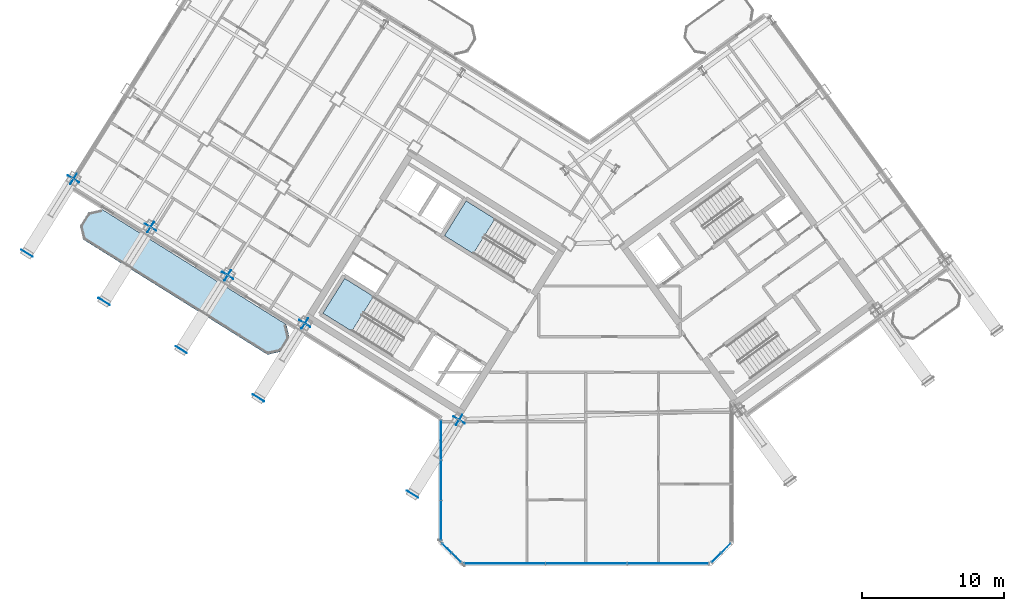
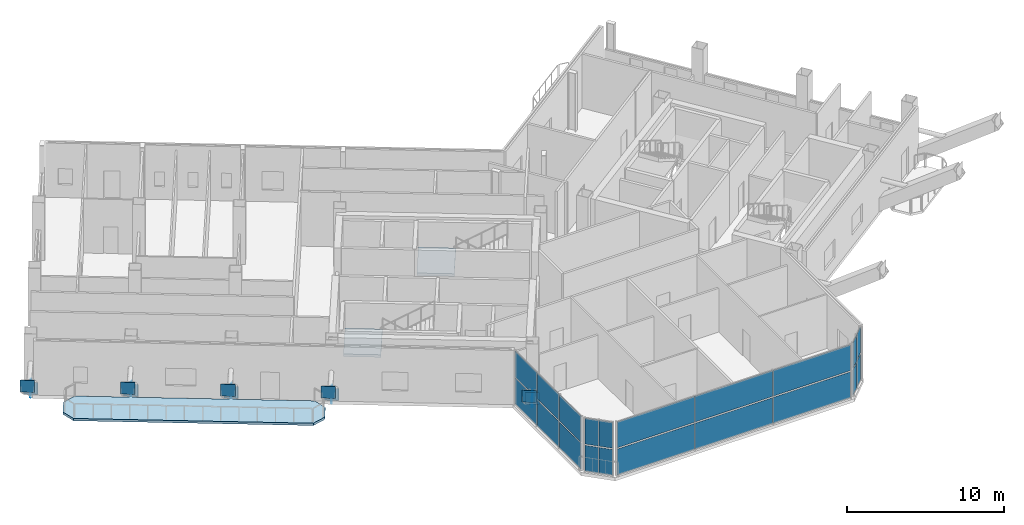
# One storey, part 13 of 34: 35 plates, 3 slabs, 6 elements without a shape of their own.
"""IFC4 building model written with IfcOpenShell, lengths in metres."""

from ifc_helpers import new_model, si_unit, direction, frame, origin, origin_2d, place, context, subcontext, project, spatial, polyline, rectangle, outline, extrude, source, transform, mapped, material, layer, layer_set, type_object, element, aggregate, save


model = new_model("IFC4")

# Units and contexts
model_context = context("Model", 3, precision=1e-05, world=origin(), true_north=direction((0.0, 1.0)))
body_context = subcontext(model_context, "Body", "Model", "MODEL_VIEW")
ifc_project = project(units=[si_unit("LENGTHUNIT", "METRE"), si_unit("AREAUNIT", "SQUARE_METRE"), si_unit("VOLUMEUNIT", "CUBIC_METRE"), si_unit("PLANEANGLEUNIT", "RADIAN"), si_unit("MASSUNIT", "GRAM", prefix="KILO")], contexts=[model_context])

# Site, building, storey
site_placement = place(None, origin())
site = spatial("IfcSite", under=ifc_project, at=site_placement, CompositionType="ELEMENT")
building_placement = place(site_placement, origin())
building = spatial("IfcBuilding", under=site, at=building_placement, Name="Tlacorven Tower", CompositionType="ELEMENT")
storey_placement = place(building_placement, frame((0.0, 0.0, 229.199951171875)))
storey = spatial("IfcBuildingStorey", under=building, at=storey_placement, Name="L58", CompositionType="ELEMENT", Elevation=229.199951171875)

# Slab
ifc_material_1 = material(Name="Precast concrete C45/55", Category="concrete")
ifc_layer_1 = layer(ifc_material_1, 0.179931640625)
ifc_layer_set_1 = layer_set([ifc_layer_1], Name="Precast concrete C45/55")
slab_type_1 = type_object("IfcSlabType", Name="SL-BAL-180", PredefinedType="USERDEFINED", material=ifc_layer_set_1)
slab_1_placement = place(storey_placement, frame((0.0, 0.0, -0.179931640625)))
element("IfcSlab", 1, at=slab_1_placement, inside=storey, type_object=slab_type_1, Name="L58 West Wing Balcony Ribbon OUT", ObjectType="BALCONY SLAB", PredefinedType="USERDEFINED", context=body_context, shape_type="SweptSolid", body=[
    extrude(outline(polyline([(20.88671875, 18.78271484375), (7.91162109375, 26.890625), (6.947021484375, 26.66796875), (6.366943359375, 25.7392578125), (6.589599609375, 24.774658203125), (19.564697265625, 16.6669921875), (20.529296875, 16.8896484375), (21.109375, 17.818115234375), (20.88671875, 18.78271484375)])), origin(), (0.0, 0.0, 1.0), 0.179931640625),
])

# Stair, slab
ifc_material_2 = material(Name="Concrete C40/50", Category="concrete")
stair_type = type_object("IfcStairType", Name="ST-CORE-DLG", PredefinedType="HALF_TURN_STAIR", material=ifc_material_2)
stair_1_placement = place(storey_placement, origin())
stair_1 = element("IfcStair", 2, at=stair_1_placement, inside=storey, type_object=stair_type, Name="L58 Protected Exit Stair West 1", PredefinedType="HALF_TURN_STAIR")
ifc_layer_2 = layer(ifc_material_2, 0.199951171875)
ifc_layer_set_2 = layer_set([ifc_layer_2], Name="Concrete C40/50")
slab_type_2 = type_object("IfcSlabType", Name="SL-LND-200", PredefinedType="LANDING", material=ifc_layer_set_2)
slab_2_placement = place(storey_placement, frame((0.0, 0.0, 2.050048828125)))
slab_2 = element("IfcSlab", 3, at=slab_2_placement, type_object=slab_type_2, Name="ST-W1 landing 1", PredefinedType="LANDING", context=body_context, shape_type="SweptSolid", body=[
    extrude(outline(polyline([(27.01611328125, 20.76025390625), (24.9892578125, 22.02685546875), (23.463134765625, 19.58447265625), (25.489990234375, 18.31787109375), (27.01611328125, 20.76025390625)])), origin(), (0.0, 0.0, 1.0), 0.199951171875),
])
aggregate(stair_1, [slab_2])

stair_2_placement = place(storey_placement, origin())
stair_2 = element("IfcStair", 4, at=stair_2_placement, inside=storey, type_object=stair_type, Name="L58 Protected Exit Stair West 2", PredefinedType="HALF_TURN_STAIR")
slab_3_placement = place(storey_placement, frame((0.0, 0.0, 2.050048828125)))
slab_3 = element("IfcSlab", 5, at=slab_3_placement, type_object=slab_type_2, Name="ST-W2 landing 1", PredefinedType="LANDING", context=body_context, shape_type="SweptSolid", body=[
    extrude(outline(polyline([(35.567626953125, 26.218017578125), (33.540771484375, 27.484375), (32.0146484375, 25.0419921875), (34.04150390625, 23.775634765625), (35.567626953125, 26.218017578125)])), origin(), (0.0, 0.0, 1.0), 0.199951171875),
])
aggregate(stair_2, [slab_3])

# Plates
ifc_material_3 = material(Name="Steel S460M", Category="steel")
ifc_layer_3 = layer(ifc_material_3, 0.02392578125)
ifc_layer_set_3 = layer_set([ifc_layer_3], Name="Steel S460M")
plate_type_1 = type_object("IfcPlateType", Name="PL-CAP-END1", PredefinedType="USERDEFINED", material=ifc_layer_set_3)
shared_shape_1 = source(origin(), body_context, "Body", "SweptSolid", [
    extrude(rectangle(XDim=0.02392578125, YDim=0.929931640625, at=origin_2d()), origin(), (0.0, 0.0, 1.0), 0.929931640625),
])
for number, where, z_axis, x_axis, name in (
    (6, (33.03759765625, 12.0732421875, -0.453125), (0.0, 0.0, 1.0), (-0.529919406799, -0.848048007072, 0.0), "L58 hollow end cap plate RAK-L58-W1 1"),
    (7, (29.769287109375, 6.8427734375, 4.0234375), (0.0, 0.0, 1.0), (-0.529919406799, -0.848048007072, 0.0), "L58 hollow end cap plate RAK-L58-W1 2"),
    (8, (22.1826171875, 18.856201171875, -0.453125), (0.0, 0.0, 1.0), (-0.529919363061, -0.848048034402, 0.0), "L58 hollow end cap plate RAK-L58-W3 1"),
    (9, (18.914306640625, 13.625732421875, 4.0234375), (0.0, 0.0, 1.0), (-0.529919363061, -0.848048034402, 0.0), "L58 hollow end cap plate RAK-L58-W3 2"),
    (10, (16.755126953125, 22.24755859375, -0.453125), (0.0, 0.0, 1.0), (-0.529919363061, -0.848048034402, 0.0), "L58 hollow end cap plate RAK-L58-W4 1"),
    (11, (13.486572265625, 17.01708984375, 4.0234375), (0.0, 0.0, 1.0), (-0.529919363061, -0.848048034402, 0.0), "L58 hollow end cap plate RAK-L58-W4 2"),
    (12, (11.32763671875, 25.63916015625, -0.453125), (0.0, 0.0, 1.0), (-0.529919363061, -0.848048034402, 0.0), "L58 hollow end cap plate RAK-L58-W5 1"),
    (13, (8.05908203125, 20.40869140625, 4.0234375), (0.0, 0.0, 1.0), (-0.529919363061, -0.848048034402, 0.0), "L58 hollow end cap plate RAK-L58-W5 2"),
    (14, (5.89990234375, 29.030517578125, -0.453125), (0.0, 0.0, 1.0), (-0.529919479665, -0.84804796154, 0.0), "L58 hollow end cap plate RAK-L58-W6 1"),
    (15, (2.631591796875, 23.800048828125, 4.0234375), (0.0, 0.0, 1.0), (-0.529919479665, -0.84804796154, 0.0), "L58 hollow end cap plate RAK-L58-W6 2"),
):
    element("IfcPlate", number, at=place(storey_placement, frame(where, z_axis=z_axis, x_axis=x_axis)), inside=storey, type_object=plate_type_1, Name=name, ObjectType="END PLATE", PredefinedType="USERDEFINED", context=body_context, shape_type="MappedRepresentation", body=[
        mapped(shared_shape_1, transform((0.0, 0.0, 0.0), scale=1.0)),
    ])
ifc_layer_4 = layer(ifc_material_3, 0.031982421875)
ifc_layer_set_4 = layer_set([ifc_layer_4], Name="Steel S460M")
plate_type_2 = type_object("IfcPlateType", Name="PL-NODE-KN1", PredefinedType="SHEET", material=ifc_layer_set_4)
shared_shape_2 = source(origin(), body_context, "Body", "SweptSolid", [
    extrude(rectangle(XDim=0.85009765625, YDim=0.031982421875, at=origin_2d()), origin(), (0.0, 0.0, 1.0), 0.85009765625),
])
for number, where, z_axis, x_axis, name in (
    (16, (33.041748046875, 12.080078125, -0.419189453125), (0.0, 0.0, 1.0), (-0.529919406799, -0.848048007072, 0.0), "L58 structural node gusset plate RAK-L58-W1"),
    (17, (22.186767578125, 18.863037109375, -0.419189453125), (0.0, 0.0, 1.0), (-0.529919363061, -0.848048034402, 0.0), "L58 structural node gusset plate RAK-L58-W3"),
    (18, (16.75927734375, 22.25439453125, -0.419189453125), (0.0, 0.0, 1.0), (-0.529919363061, -0.848048034402, 0.0), "L58 structural node gusset plate RAK-L58-W4"),
    (19, (11.331787109375, 25.64599609375, -0.419189453125), (0.0, 0.0, 1.0), (-0.529919363061, -0.848048034402, 0.0), "L58 structural node gusset plate RAK-L58-W5"),
    (20, (5.904296875, 29.037353515625, -0.419189453125), (0.0, 0.0, 1.0), (-0.529919479665, -0.84804796154, 0.0), "L58 structural node gusset plate RAK-L58-W6"),
):
    element("IfcPlate", number, at=place(storey_placement, frame(where, z_axis=z_axis, x_axis=x_axis)), inside=storey, type_object=plate_type_2, Name=name, PredefinedType="SHEET", context=body_context, shape_type="MappedRepresentation", body=[
        mapped(shared_shape_2, transform((0.0, 0.0, 0.0), scale=1.0)),
    ])

# Curtain wall, plates
ifc_material_4 = material(Name="Dark solar low-E double glazing in aluminium frame", Category="aluminium")
curtain_wall_type = type_object("IfcCurtainWallType", Name="CW-TWR-HIGH", PredefinedType="USERDEFINED", material=ifc_material_4)
curtain_wall_1_placement = place(storey_placement, origin())
curtain_wall_1 = element("IfcCurtainWall", 21, at=curtain_wall_1_placement, inside=storey, type_object=curtain_wall_type, Name="L58 CW-TWR-HIGH Curtain Wall 262", ObjectType="UNITISED CURTAIN WALL", PredefinedType="USERDEFINED")
ifc_material_5 = material(Name="High-wind dark solar tempered low-E glazing", Category="glass")
ifc_layer_5 = layer(ifc_material_5, 0.028076171875)
ifc_layer_set_5 = layer_set([ifc_layer_5], Name="High-wind dark solar tempered low-E glazing")
plate_type_3 = type_object("IfcPlateType", Name="CWP-03", PredefinedType="CURTAIN_PANEL", material=ifc_layer_set_5)
shared_shape_3 = source(origin(), body_context, "Body", "SweptSolid", [
    extrude(rectangle(XDim=0.89306640625, YDim=0.028076171875, at=origin_2d()), origin(), (0.0, 0.0, 1.0), 2.008056640625),
])
plate_1_placement = place(storey_placement, frame((51.8173828125, 3.043701171875, 0.05078125), z_axis=(0.0, 0.0, 1.0), x_axis=(-0.707106781187, -0.707106781187, 0.0)))
plate_1 = element("IfcPlate", 22, at=plate_1_placement, type_object=plate_type_3, Name="CW-L58-262 Glazing Panel 1", PredefinedType="CURTAIN_PANEL", context=body_context, shape_type="MappedRepresentation", body=[
    mapped(shared_shape_3, transform((0.0, 0.0, 0.0), scale=1.0)),
])
plate_2_placement = place(storey_placement, frame((51.8173828125, 3.043701171875, 2.1611328125), z_axis=(0.0, 0.0, 1.0), x_axis=(-0.707106781187, -0.707106781187, 0.0)))
plate_2 = element("IfcPlate", 23, at=plate_2_placement, type_object=plate_type_3, Name="CW-L58-262 Glazing Panel 2", PredefinedType="CURTAIN_PANEL", context=body_context, shape_type="MappedRepresentation", body=[
    mapped(shared_shape_3, transform((0.0, 0.0, 0.0), scale=1.0)),
])
plate_3_placement = place(storey_placement, frame((51.15625, 2.382568359375, 0.05078125), z_axis=(0.0, 0.0, 1.0), x_axis=(-0.707106781187, -0.707106781187, 0.0)))
plate_3 = element("IfcPlate", 24, at=plate_3_placement, type_object=plate_type_3, Name="CW-L58-262 Glazing Panel 3", PredefinedType="CURTAIN_PANEL", context=body_context, shape_type="MappedRepresentation", body=[
    mapped(shared_shape_3, transform((0.0, 0.0, 0.0), scale=1.0)),
])
plate_4_placement = place(storey_placement, frame((51.15625, 2.382568359375, 2.1611328125), z_axis=(0.0, 0.0, 1.0), x_axis=(-0.707106781187, -0.707106781187, 0.0)))
plate_4 = element("IfcPlate", 25, at=plate_4_placement, type_object=plate_type_3, Name="CW-L58-262 Glazing Panel 4", PredefinedType="CURTAIN_PANEL", context=body_context, shape_type="MappedRepresentation", body=[
    mapped(shared_shape_3, transform((0.0, 0.0, 0.0), scale=1.0)),
])
aggregate(curtain_wall_1, [plate_1, plate_2, plate_3, plate_4])

curtain_wall_2_placement = place(storey_placement, origin())
curtain_wall_2 = element("IfcCurtainWall", 26, at=curtain_wall_2_placement, inside=storey, type_object=curtain_wall_type, Name="L58 CW-TWR-HIGH Curtain Wall 264", ObjectType="UNITISED CURTAIN WALL", PredefinedType="USERDEFINED")
plate_5_placement = place(storey_placement, frame((32.84375, 2.382568359375, 0.05078125), z_axis=(0.0, 0.0, 1.0), x_axis=(-0.707106781187, 0.707106781187, 0.0)))
plate_5 = element("IfcPlate", 27, at=plate_5_placement, type_object=plate_type_3, Name="CW-L58-264 Glazing Panel 1", PredefinedType="CURTAIN_PANEL", context=body_context, shape_type="MappedRepresentation", body=[
    mapped(shared_shape_3, transform((0.0, 0.0, 0.0), scale=1.0)),
])
plate_6_placement = place(storey_placement, frame((32.84375, 2.382568359375, 2.1611328125), z_axis=(0.0, 0.0, 1.0), x_axis=(-0.707106781187, 0.707106781187, 0.0)))
plate_6 = element("IfcPlate", 28, at=plate_6_placement, type_object=plate_type_3, Name="CW-L58-264 Glazing Panel 2", PredefinedType="CURTAIN_PANEL", context=body_context, shape_type="MappedRepresentation", body=[
    mapped(shared_shape_3, transform((0.0, 0.0, 0.0), scale=1.0)),
])
plate_7_placement = place(storey_placement, frame((32.1826171875, 3.043701171875, 0.05078125), z_axis=(0.0, 0.0, 1.0), x_axis=(-0.707106781187, 0.707106781187, 0.0)))
plate_7 = element("IfcPlate", 29, at=plate_7_placement, type_object=plate_type_3, Name="CW-L58-264 Glazing Panel 3", PredefinedType="CURTAIN_PANEL", context=body_context, shape_type="MappedRepresentation", body=[
    mapped(shared_shape_3, transform((0.0, 0.0, 0.0), scale=1.0)),
])
plate_8_placement = place(storey_placement, frame((32.1826171875, 3.043701171875, 2.1611328125), z_axis=(0.0, 0.0, 1.0), x_axis=(-0.707106781187, 0.707106781187, 0.0)))
plate_8 = element("IfcPlate", 30, at=plate_8_placement, type_object=plate_type_3, Name="CW-L58-264 Glazing Panel 4", PredefinedType="CURTAIN_PANEL", context=body_context, shape_type="MappedRepresentation", body=[
    mapped(shared_shape_3, transform((0.0, 0.0, 0.0), scale=1.0)),
])
aggregate(curtain_wall_2, [plate_5, plate_6, plate_7, plate_8])

curtain_wall_3_placement = place(storey_placement, origin())
curtain_wall_3 = element("IfcCurtainWall", 31, at=curtain_wall_3_placement, inside=storey, type_object=curtain_wall_type, Name="L58 CW-TWR-HIGH Curtain Wall 263", ObjectType="UNITISED CURTAIN WALL", PredefinedType="USERDEFINED")
shared_shape_4 = source(origin(), body_context, "Body", "SweptSolid", [
    extrude(rectangle(XDim=5.683837890625, YDim=0.028076171875, at=origin_2d()), origin(), (0.0, 0.0, 1.0), 2.008056640625),
])
plate_9_placement = place(storey_placement, frame((47.74072265625, 1.9599609375, 0.05078125), z_axis=(0.0, 0.0, 1.0), x_axis=(-1.0, 0.0, 0.0)))
plate_9 = element("IfcPlate", 32, at=plate_9_placement, type_object=plate_type_3, Name="CW-L58-263 Glazing Panel 1", PredefinedType="CURTAIN_PANEL", context=body_context, shape_type="MappedRepresentation", body=[
    mapped(shared_shape_4, transform((0.0, 0.0, 0.0), scale=1.0)),
])
plate_10_placement = place(storey_placement, frame((47.74072265625, 1.9599609375, 2.1611328125), z_axis=(0.0, 0.0, 1.0), x_axis=(-1.0, 0.0, 0.0)))
plate_10 = element("IfcPlate", 33, at=plate_10_placement, type_object=plate_type_3, Name="CW-L58-263 Glazing Panel 2", PredefinedType="CURTAIN_PANEL", context=body_context, shape_type="MappedRepresentation", body=[
    mapped(shared_shape_4, transform((0.0, 0.0, 0.0), scale=1.0)),
])
plate_11_placement = place(storey_placement, frame((36.25927734375, 1.9599609375, 0.05078125), z_axis=(0.0, 0.0, 1.0), x_axis=(-1.0, 0.0, 0.0)))
plate_11 = element("IfcPlate", 34, at=plate_11_placement, type_object=plate_type_3, Name="CW-L58-263 Glazing Panel 5", PredefinedType="CURTAIN_PANEL", context=body_context, shape_type="MappedRepresentation", body=[
    mapped(shared_shape_4, transform((0.0, 0.0, 0.0), scale=1.0)),
])
plate_12_placement = place(storey_placement, frame((36.25927734375, 1.9599609375, 2.1611328125), z_axis=(0.0, 0.0, 1.0), x_axis=(-1.0, 0.0, 0.0)))
plate_12 = element("IfcPlate", 35, at=plate_12_placement, type_object=plate_type_3, Name="CW-L58-263 Glazing Panel 6", PredefinedType="CURTAIN_PANEL", context=body_context, shape_type="MappedRepresentation", body=[
    mapped(shared_shape_4, transform((0.0, 0.0, 0.0), scale=1.0)),
])
shared_shape_5 = source(origin(), body_context, "Body", "SweptSolid", [
    extrude(rectangle(XDim=5.7138671875, YDim=0.028076171875, at=origin_2d()), origin(), (0.0, 0.0, 1.0), 2.008056640625),
])
plate_13_placement = place(storey_placement, frame((42.0, 1.9599609375, 0.05078125), z_axis=(0.0, 0.0, 1.0), x_axis=(-1.0, 0.0, 0.0)))
plate_13 = element("IfcPlate", 36, at=plate_13_placement, type_object=plate_type_3, Name="CW-L58-263 Glazing Panel 3", PredefinedType="CURTAIN_PANEL", context=body_context, shape_type="MappedRepresentation", body=[
    mapped(shared_shape_5, transform((0.0, 0.0, 0.0), scale=1.0)),
])
plate_14_placement = place(storey_placement, frame((42.0, 1.9599609375, 2.1611328125), z_axis=(0.0, 0.0, 1.0), x_axis=(-1.0, 0.0, 0.0)))
plate_14 = element("IfcPlate", 37, at=plate_14_placement, type_object=plate_type_3, Name="CW-L58-263 Glazing Panel 4", PredefinedType="CURTAIN_PANEL", context=body_context, shape_type="MappedRepresentation", body=[
    mapped(shared_shape_5, transform((0.0, 0.0, 0.0), scale=1.0)),
])
aggregate(curtain_wall_3, [plate_9, plate_10, plate_13, plate_14, plate_11, plate_12])

curtain_wall_4_placement = place(storey_placement, origin())
curtain_wall_4 = element("IfcCurtainWall", 38, at=curtain_wall_4_placement, inside=storey, type_object=curtain_wall_type, Name="L58 CW-TWR-HIGH Curtain Wall 265", ObjectType="UNITISED CURTAIN WALL", PredefinedType="USERDEFINED")
shared_shape_6 = source(origin(), body_context, "Body", "SweptSolid", [
    extrude(rectangle(XDim=2.766845703125, YDim=0.028076171875, at=origin_2d()), origin(), (0.0, 0.0, 1.0), 2.008056640625),
])
plate_15_placement = place(storey_placement, frame((31.760009765625, 5.000732421875, 0.05078125), z_axis=(0.0, 0.0, 1.0), x_axis=(0.0, 1.0, 0.0)))
plate_15 = element("IfcPlate", 39, at=plate_15_placement, type_object=plate_type_3, Name="CW-L58-265 Glazing Panel 1", PredefinedType="CURTAIN_PANEL", context=body_context, shape_type="MappedRepresentation", body=[
    mapped(shared_shape_6, transform((0.0, 0.0, 0.0), scale=1.0)),
])
plate_16_placement = place(storey_placement, frame((31.760009765625, 5.000732421875, 2.1611328125), z_axis=(0.0, 0.0, 1.0), x_axis=(0.0, 1.0, 0.0)))
plate_16 = element("IfcPlate", 40, at=plate_16_placement, type_object=plate_type_3, Name="CW-L58-265 Glazing Panel 2", PredefinedType="CURTAIN_PANEL", context=body_context, shape_type="MappedRepresentation", body=[
    mapped(shared_shape_6, transform((0.0, 0.0, 0.0), scale=1.0)),
])
plate_17_placement = place(storey_placement, frame((31.760009765625, 10.648681640625, 0.05078125), z_axis=(0.0, 0.0, 1.0), x_axis=(0.0, 1.0, 0.0)))
plate_17 = element("IfcPlate", 41, at=plate_17_placement, type_object=plate_type_3, Name="CW-L58-265 Glazing Panel 5", PredefinedType="CURTAIN_PANEL", context=body_context, shape_type="MappedRepresentation", body=[
    mapped(shared_shape_6, transform((0.0, 0.0, 0.0), scale=1.0)),
])
plate_18_placement = place(storey_placement, frame((31.760009765625, 10.648681640625, 2.1611328125), z_axis=(0.0, 0.0, 1.0), x_axis=(0.0, 1.0, 0.0)))
plate_18 = element("IfcPlate", 42, at=plate_18_placement, type_object=plate_type_3, Name="CW-L58-265 Glazing Panel 6", PredefinedType="CURTAIN_PANEL", context=body_context, shape_type="MappedRepresentation", body=[
    mapped(shared_shape_6, transform((0.0, 0.0, 0.0), scale=1.0)),
])
shared_shape_7 = source(origin(), body_context, "Body", "SweptSolid", [
    extrude(rectangle(XDim=2.796875, YDim=0.028076171875, at=origin_2d()), origin(), (0.0, 0.0, 1.0), 2.008056640625),
])
plate_19_placement = place(storey_placement, frame((31.760009765625, 7.82470703125, 0.05078125), z_axis=(0.0, 0.0, 1.0), x_axis=(0.0, 1.0, 0.0)))
plate_19 = element("IfcPlate", 43, at=plate_19_placement, type_object=plate_type_3, Name="CW-L58-265 Glazing Panel 3", PredefinedType="CURTAIN_PANEL", context=body_context, shape_type="MappedRepresentation", body=[
    mapped(shared_shape_7, transform((0.0, 0.0, 0.0), scale=1.0)),
])
plate_20_placement = place(storey_placement, frame((31.760009765625, 7.82470703125, 2.1611328125), z_axis=(0.0, 0.0, 1.0), x_axis=(0.0, 1.0, 0.0)))
plate_20 = element("IfcPlate", 44, at=plate_20_placement, type_object=plate_type_3, Name="CW-L58-265 Glazing Panel 4", PredefinedType="CURTAIN_PANEL", context=body_context, shape_type="MappedRepresentation", body=[
    mapped(shared_shape_7, transform((0.0, 0.0, 0.0), scale=1.0)),
])
aggregate(curtain_wall_4, [plate_15, plate_16, plate_19, plate_20, plate_17, plate_18])

save(model, "model.ifc")
